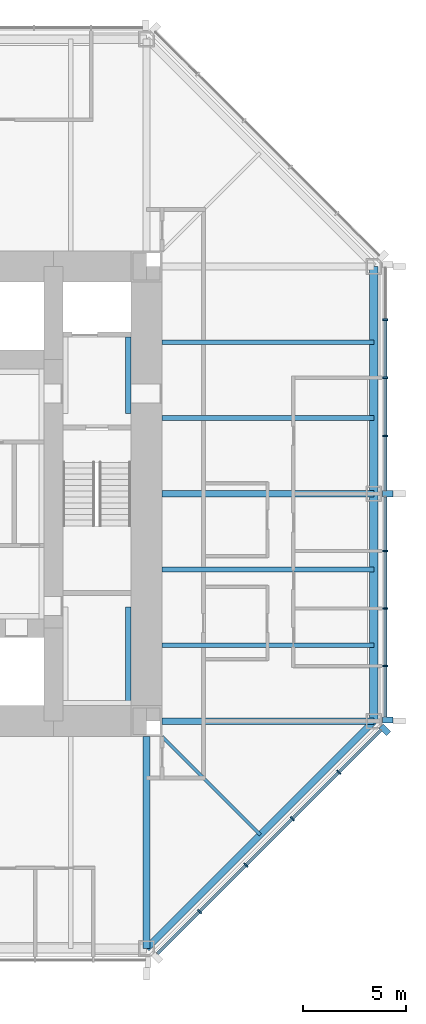
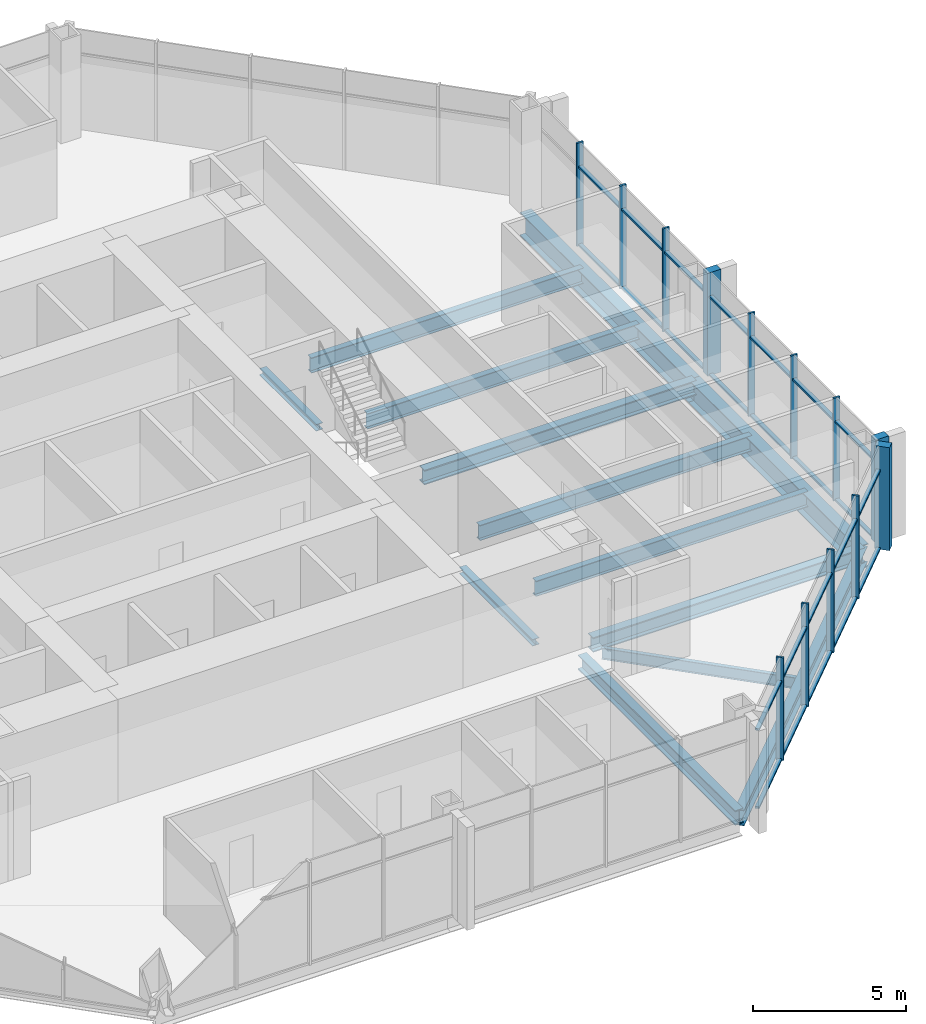
# One storey, part 4 of 12: 37 members, 13 beams, 2 elements without a shape of their own.
"""IFC4 building model written with IfcOpenShell, lengths in metres."""

from ifc_helpers import new_model, si_unit, direction, frame, origin, origin_2d, place, context, subcontext, project, spatial, rectangle, i_section, extrude, material, material_profile, profile_set, type_object, element, aggregate, save


model = new_model("IFC4")

# Units and contexts
model_context = context("Model", 3, precision=1e-05, world=origin(), true_north=direction((0.0, 1.0)))
body_context = subcontext(model_context, "Body", "Model", "MODEL_VIEW")
ifc_project = project(units=[si_unit("LENGTHUNIT", "METRE"), si_unit("AREAUNIT", "SQUARE_METRE"), si_unit("VOLUMEUNIT", "CUBIC_METRE"), si_unit("PLANEANGLEUNIT", "RADIAN"), si_unit("MASSUNIT", "GRAM", prefix="KILO")], contexts=[model_context])

# Site, building, storey
site_placement = place(None, origin())
site = spatial("IfcSite", under=ifc_project, at=site_placement, CompositionType="ELEMENT")
building_placement = place(site_placement, origin())
building = spatial("IfcBuilding", under=site, at=building_placement, Name="Trevanion Tower", CompositionType="ELEMENT")
storey_placement = place(building_placement, frame((0.0, 0.0, 137.699951171875)))
storey = spatial("IfcBuildingStorey", under=building, at=storey_placement, Name="L32", CompositionType="ELEMENT", Elevation=137.699951171875)

# Beams
ifc_material_1 = material(Name="Steel ASTM A992 Grade 50", Category="steel")
ifc_material_profile_1 = material_profile(ifc_material_1, i_section(OverallWidth=0.22900390625, OverallDepth=0.612060546875, WebThickness=0.011962890625, FlangeThickness=0.01953125, at=origin_2d()), Name="W24X84")
ifc_profile_set_1 = profile_set([ifc_material_profile_1], Name="Steel ASTM A992 Grade 50")
beam_type_1 = type_object("IfcBeamType", Name="B7 W24X84", PredefinedType="BEAM", material=ifc_profile_set_1)
for number, where, z_axis, x_axis, name in (
    (1, (11.75, -7.333251953125, -0.49609375), (1.0, 0.0, 0.0), (0.0, 1.0, 0.0), "B7 L32"),
    (2, (11.75, -3.666748046875, -0.49609375), (1.0, 0.0, 0.0), (0.0, 1.0, 0.0), "B7 L32"),
    (3, (11.75, 3.666748046875, -0.49609375), (1.0, 0.0, 0.0), (0.0, 1.0, 0.0), "B7 L32"),
    (4, (11.75, 7.333251953125, -0.49609375), (1.0, 0.0, 0.0), (0.0, 1.0, 0.0), "B7 L32"),
):
    element("IfcBeam", number, at=place(storey_placement, frame(where, z_axis=z_axis, x_axis=x_axis)), inside=storey, type_object=beam_type_1, Name=name, PredefinedType="BEAM", context=body_context, shape_type="SweptSolid", body=[
        extrude(i_section(OverallWidth=0.22900390625, OverallDepth=0.612060546875, WebThickness=0.011962890625, FlangeThickness=0.01953125, at=origin_2d()), origin(), (0.0, 0.0, 1.0), 10.25),
    ])
ifc_material_2 = material(Name="Steel ASTM A992 Grade 50", Category="steel")
ifc_material_profile_2 = material_profile(ifc_material_2, i_section(OverallWidth=0.15234375, OverallDepth=0.449462890625, WebThickness=0.007568359375, FlangeThickness=0.0107421875, at=origin_2d()), Name="W18X35")
ifc_profile_set_2 = profile_set([ifc_material_profile_2], Name="Steel ASTM A992 Grade 50")
beam_type_2 = type_object("IfcBeamType", Name="B8 W18X35", PredefinedType="BEAM", material=ifc_profile_set_2)
beam_1_placement = place(storey_placement, frame((11.75, -11.75, -0.414794921875), z_axis=(0.707106781187, -0.707106781187, 0.0), x_axis=(0.707106781187, 0.707106781187, 0.0)))
element("IfcBeam", 5, at=beam_1_placement, inside=storey, type_object=beam_type_2, Name="B8 L32", PredefinedType="BEAM", context=body_context, shape_type="SweptSolid", body=[
    extrude(i_section(OverallWidth=0.15234375, OverallDepth=0.449462890625, WebThickness=0.007568359375, FlangeThickness=0.0107421875, at=origin_2d()), origin(), (0.0, 0.0, 1.0), 6.717529296875),
])

# Curtain wall, members
ifc_material_3 = material(Name="Aluminium and glass", Category="aluminium")
curtain_wall_type = type_object("IfcCurtainWallType", Name="CW2 curtain wall", PredefinedType="USERDEFINED", material=ifc_material_3)
curtain_wall_1_placement = place(storey_placement, origin())
curtain_wall_1 = element("IfcCurtainWall", 6, at=curtain_wall_1_placement, inside=storey, type_object=curtain_wall_type, Name="CW2 L32 0", ObjectType="UNITISED CURTAIN WALL", PredefinedType="USERDEFINED")
ifc_material_4 = material(Name="Aluminium extrusion, anodised bronze", Category="aluminium")
ifc_material_profile_3 = material_profile(ifc_material_4, rectangle(XDim=0.074951171875, YDim=0.25, at=origin_2d()), Name="CW2 mullion")
ifc_profile_set_3 = profile_set([ifc_material_profile_3], Name="Aluminium extrusion, anodised bronze")
member_type_1 = type_object("IfcMemberType", Name="CW2 mullion", PredefinedType="MULLION", material=ifc_profile_set_3)
member_1_placement = place(storey_placement, frame((22.550048828125, -8.323486328125, -0.18994140625), z_axis=(0.0, 0.0, 1.0), x_axis=(0.0, 1.0, 0.0)))
member_1 = element("IfcMember", 7, at=member_1_placement, type_object=member_type_1, Name="CW2 mullion 2", PredefinedType="MULLION", context=body_context, shape_type="SweptSolid", body=[
    extrude(rectangle(XDim=0.074951171875, YDim=0.25, at=origin_2d()), origin(), (0.0, 0.0, 1.0), 4.10009765625),
])
member_2_placement = place(storey_placement, frame((22.550048828125, -5.548828125, -0.18994140625), z_axis=(0.0, 0.0, 1.0), x_axis=(0.0, 1.0, 0.0)))
member_2 = element("IfcMember", 8, at=member_2_placement, type_object=member_type_1, Name="CW2 mullion 3", PredefinedType="MULLION", context=body_context, shape_type="SweptSolid", body=[
    extrude(rectangle(XDim=0.074951171875, YDim=0.25, at=origin_2d()), origin(), (0.0, 0.0, 1.0), 4.10009765625),
])
member_3_placement = place(storey_placement, frame((22.550048828125, -2.7744140625, -0.18994140625), z_axis=(0.0, 0.0, 1.0), x_axis=(0.0, 1.0, 0.0)))
member_3 = element("IfcMember", 9, at=member_3_placement, type_object=member_type_1, Name="CW2 mullion 4", PredefinedType="MULLION", context=body_context, shape_type="SweptSolid", body=[
    extrude(rectangle(XDim=0.074951171875, YDim=0.25, at=origin_2d()), origin(), (0.0, 0.0, 1.0), 4.10009765625),
])
member_4_placement = place(storey_placement, frame((22.550048828125, 2.806884765625, -0.18994140625), z_axis=(0.0, 0.0, 1.0), x_axis=(0.0, 1.0, 0.0)))
member_4 = element("IfcMember", 10, at=member_4_placement, type_object=member_type_1, Name="CW2 mullion 6", PredefinedType="MULLION", context=body_context, shape_type="SweptSolid", body=[
    extrude(rectangle(XDim=0.074951171875, YDim=0.25, at=origin_2d()), origin(), (0.0, 0.0, 1.0), 4.10009765625),
])
member_5_placement = place(storey_placement, frame((22.550048828125, 5.614013671875, -0.18994140625), z_axis=(0.0, 0.0, 1.0), x_axis=(0.0, 1.0, 0.0)))
member_5 = element("IfcMember", 11, at=member_5_placement, type_object=member_type_1, Name="CW2 mullion 7", PredefinedType="MULLION", context=body_context, shape_type="SweptSolid", body=[
    extrude(rectangle(XDim=0.074951171875, YDim=0.25, at=origin_2d()), origin(), (0.0, 0.0, 1.0), 4.10009765625),
])
member_6_placement = place(storey_placement, frame((22.550048828125, 8.4208984375, -0.18994140625), z_axis=(0.0, 0.0, 1.0), x_axis=(0.0, 1.0, 0.0)))
member_6 = element("IfcMember", 12, at=member_6_placement, type_object=member_type_1, Name="CW2 mullion 8", PredefinedType="MULLION", context=body_context, shape_type="SweptSolid", body=[
    extrude(rectangle(XDim=0.074951171875, YDim=0.25, at=origin_2d()), origin(), (0.0, 0.0, 1.0), 4.10009765625),
])

curtain_wall_2_placement = place(storey_placement, origin())
curtain_wall_2 = element("IfcCurtainWall", 13, at=curtain_wall_2_placement, inside=storey, type_object=curtain_wall_type, Name="CW2 L32 7", ObjectType="UNITISED CURTAIN WALL", PredefinedType="USERDEFINED")
member_7_placement = place(storey_placement, frame((13.56591796875, -20.2119140625, -0.18994140625), z_axis=(0.0, 0.0, 1.0), x_axis=(0.707106781187, 0.707106781187, 0.0)))
member_7 = element("IfcMember", 14, at=member_7_placement, type_object=member_type_1, Name="CW2 mullion 2", PredefinedType="MULLION", context=body_context, shape_type="SweptSolid", body=[
    extrude(rectangle(XDim=0.074951171875, YDim=0.25, at=origin_2d()), origin(), (0.0, 0.0, 1.0), 4.10009765625),
])
member_8_placement = place(storey_placement, frame((15.811767578125, -17.966064453125, -0.18994140625), z_axis=(0.0, 0.0, 1.0), x_axis=(0.707106781187, 0.707106781187, 0.0)))
member_8 = element("IfcMember", 15, at=member_8_placement, type_object=member_type_1, Name="CW2 mullion 3", PredefinedType="MULLION", context=body_context, shape_type="SweptSolid", body=[
    extrude(rectangle(XDim=0.074951171875, YDim=0.25, at=origin_2d()), origin(), (0.0, 0.0, 1.0), 4.10009765625),
])
member_9_placement = place(storey_placement, frame((18.057861328125, -15.719970703125, -0.18994140625), z_axis=(0.0, 0.0, 1.0), x_axis=(0.707106781187, 0.707106781187, 0.0)))
member_9 = element("IfcMember", 16, at=member_9_placement, type_object=member_type_1, Name="CW2 mullion 4", PredefinedType="MULLION", context=body_context, shape_type="SweptSolid", body=[
    extrude(rectangle(XDim=0.074951171875, YDim=0.25, at=origin_2d()), origin(), (0.0, 0.0, 1.0), 4.10009765625),
])
member_10_placement = place(storey_placement, frame((20.303955078125, -13.473876953125, -0.18994140625), z_axis=(0.0, 0.0, 1.0), x_axis=(0.707106781187, 0.707106781187, 0.0)))
member_10 = element("IfcMember", 17, at=member_10_placement, type_object=member_type_1, Name="CW2 mullion 5", PredefinedType="MULLION", context=body_context, shape_type="SweptSolid", body=[
    extrude(rectangle(XDim=0.074951171875, YDim=0.25, at=origin_2d()), origin(), (0.0, 0.0, 1.0), 4.10009765625),
])

# Member
ifc_material_5 = material(Name="Aluminium extrusion, anodised bronze", Category="aluminium")
ifc_material_profile_4 = material_profile(ifc_material_5, rectangle(XDim=0.300048828125, YDim=0.5, at=origin_2d()), Name="CW2 pier mullion")
ifc_profile_set_4 = profile_set([ifc_material_profile_4], Name="Aluminium extrusion, anodised bronze")
member_type_2 = type_object("IfcMemberType", Name="CW2 pier mullion", PredefinedType="MULLION", material=ifc_profile_set_4)
member_11_placement = place(storey_placement, frame((22.675048828125, -10.94775390625, -0.18994140625), z_axis=(0.0, 0.0, 1.0), x_axis=(0.0, 1.0, 0.0)))
member_11 = element("IfcMember", 18, at=member_11_placement, type_object=member_type_2, Name="CW2 pier mullion 1", PredefinedType="MULLION", context=body_context, shape_type="SweptSolid", body=[
    extrude(rectangle(XDim=0.300048828125, YDim=0.5, at=origin_2d()), origin(), (0.0, 0.0, 1.0), 4.10009765625),
])

member_12_placement = place(storey_placement, frame((22.675048828125, 0.0, -0.18994140625), z_axis=(0.0, 0.0, 1.0), x_axis=(0.0, 1.0, 0.0)))
member_12 = element("IfcMember", 19, at=member_12_placement, type_object=member_type_2, Name="CW2 pier mullion 5", PredefinedType="MULLION", context=body_context, shape_type="SweptSolid", body=[
    extrude(rectangle(XDim=0.300048828125, YDim=0.5, at=origin_2d()), origin(), (0.0, 0.0, 1.0), 4.10009765625),
])

member_13_placement = place(storey_placement, frame((22.5322265625, -11.42236328125, -0.18994140625), z_axis=(0.0, 0.0, 1.0), x_axis=(0.707106781187, 0.707106781187, 0.0)))
member_13 = element("IfcMember", 20, at=member_13_placement, type_object=member_type_2, Name="CW2 pier mullion 6", PredefinedType="MULLION", context=body_context, shape_type="SweptSolid", body=[
    extrude(rectangle(XDim=0.300048828125, YDim=0.5, at=origin_2d()), origin(), (0.0, 0.0, 1.0), 4.10009765625),
])

ifc_material_6 = material(Name="Aluminium extrusion, anodised bronze", Category="aluminium")
ifc_material_profile_5 = material_profile(ifc_material_6, rectangle(XDim=0.14990234375, YDim=0.074951171875, at=origin_2d()), Name="CW2 transom")
ifc_profile_set_5 = profile_set([ifc_material_profile_5], Name="Aluminium extrusion, anodised bronze")
member_type_3 = type_object("IfcMemberType", Name="CW2 transom", PredefinedType="USERDEFINED", material=ifc_profile_set_5)
member_14_placement = place(storey_placement, frame((22.550048828125, -10.7978515625, -0.15234375), z_axis=(0.0, 1.0, 0.0), x_axis=(-1.0, 0.0, 0.0)))
member_14 = element("IfcMember", 21, at=member_14_placement, type_object=member_type_3, Name="CW2 transom 1.1", ObjectType="TRANSOM", PredefinedType="USERDEFINED", context=body_context, shape_type="SweptSolid", body=[
    extrude(rectangle(XDim=0.14990234375, YDim=0.074951171875, at=origin_2d()), origin(), (0.0, 0.0, 1.0), 2.43701171875),
])

member_15_placement = place(storey_placement, frame((22.550048828125, -10.7978515625, 2.9599609375), z_axis=(0.0, 1.0, 0.0), x_axis=(-1.0, 0.0, 0.0)))
member_15 = element("IfcMember", 22, at=member_15_placement, type_object=member_type_3, Name="CW2 transom 1.2", ObjectType="TRANSOM", PredefinedType="USERDEFINED", context=body_context, shape_type="SweptSolid", body=[
    extrude(rectangle(XDim=0.14990234375, YDim=0.074951171875, at=origin_2d()), origin(), (0.0, 0.0, 1.0), 2.43701171875),
])

member_16_placement = place(storey_placement, frame((22.550048828125, -8.285888671875, -0.15234375), z_axis=(0.0, 1.0, 0.0), x_axis=(-1.0, 0.0, 0.0)))
member_16 = element("IfcMember", 23, at=member_16_placement, type_object=member_type_3, Name="CW2 transom 2.1", ObjectType="TRANSOM", PredefinedType="USERDEFINED", context=body_context, shape_type="SweptSolid", body=[
    extrude(rectangle(XDim=0.14990234375, YDim=0.074951171875, at=origin_2d()), origin(), (0.0, 0.0, 1.0), 2.699462890625),
])

member_17_placement = place(storey_placement, frame((22.550048828125, -8.285888671875, 2.9599609375), z_axis=(0.0, 1.0, 0.0), x_axis=(-1.0, 0.0, 0.0)))
member_17 = element("IfcMember", 24, at=member_17_placement, type_object=member_type_3, Name="CW2 transom 2.2", ObjectType="TRANSOM", PredefinedType="USERDEFINED", context=body_context, shape_type="SweptSolid", body=[
    extrude(rectangle(XDim=0.14990234375, YDim=0.074951171875, at=origin_2d()), origin(), (0.0, 0.0, 1.0), 2.699462890625),
])

member_18_placement = place(storey_placement, frame((22.550048828125, -5.511474609375, -0.15234375), z_axis=(0.0, 1.0, 0.0), x_axis=(-1.0, 0.0, 0.0)))
member_18 = element("IfcMember", 25, at=member_18_placement, type_object=member_type_3, Name="CW2 transom 3.1", ObjectType="TRANSOM", PredefinedType="USERDEFINED", context=body_context, shape_type="SweptSolid", body=[
    extrude(rectangle(XDim=0.14990234375, YDim=0.074951171875, at=origin_2d()), origin(), (0.0, 0.0, 1.0), 2.699462890625),
])

member_19_placement = place(storey_placement, frame((22.550048828125, -5.511474609375, 2.9599609375), z_axis=(0.0, 1.0, 0.0), x_axis=(-1.0, 0.0, 0.0)))
member_19 = element("IfcMember", 26, at=member_19_placement, type_object=member_type_3, Name="CW2 transom 3.2", ObjectType="TRANSOM", PredefinedType="USERDEFINED", context=body_context, shape_type="SweptSolid", body=[
    extrude(rectangle(XDim=0.14990234375, YDim=0.074951171875, at=origin_2d()), origin(), (0.0, 0.0, 1.0), 2.699462890625),
])

member_20_placement = place(storey_placement, frame((22.550048828125, -2.737060546875, -0.15234375), z_axis=(0.0, 1.0, 0.0), x_axis=(-1.0, 0.0, 0.0)))
member_20 = element("IfcMember", 27, at=member_20_placement, type_object=member_type_3, Name="CW2 transom 4.1", ObjectType="TRANSOM", PredefinedType="USERDEFINED", context=body_context, shape_type="SweptSolid", body=[
    extrude(rectangle(XDim=0.14990234375, YDim=0.074951171875, at=origin_2d()), origin(), (0.0, 0.0, 1.0), 2.587158203125),
])

member_21_placement = place(storey_placement, frame((22.550048828125, -2.737060546875, 2.9599609375), z_axis=(0.0, 1.0, 0.0), x_axis=(-1.0, 0.0, 0.0)))
member_21 = element("IfcMember", 28, at=member_21_placement, type_object=member_type_3, Name="CW2 transom 4.2", ObjectType="TRANSOM", PredefinedType="USERDEFINED", context=body_context, shape_type="SweptSolid", body=[
    extrude(rectangle(XDim=0.14990234375, YDim=0.074951171875, at=origin_2d()), origin(), (0.0, 0.0, 1.0), 2.587158203125),
])

member_22_placement = place(storey_placement, frame((22.550048828125, 0.14990234375, -0.15234375), z_axis=(0.0, 1.0, 0.0), x_axis=(-1.0, 0.0, 0.0)))
member_22 = element("IfcMember", 29, at=member_22_placement, type_object=member_type_3, Name="CW2 transom 5.1", ObjectType="TRANSOM", PredefinedType="USERDEFINED", context=body_context, shape_type="SweptSolid", body=[
    extrude(rectangle(XDim=0.14990234375, YDim=0.074951171875, at=origin_2d()), origin(), (0.0, 0.0, 1.0), 2.619384765625),
])

member_23_placement = place(storey_placement, frame((22.550048828125, 0.14990234375, 2.9599609375), z_axis=(0.0, 1.0, 0.0), x_axis=(-1.0, 0.0, 0.0)))
member_23 = element("IfcMember", 30, at=member_23_placement, type_object=member_type_3, Name="CW2 transom 5.2", ObjectType="TRANSOM", PredefinedType="USERDEFINED", context=body_context, shape_type="SweptSolid", body=[
    extrude(rectangle(XDim=0.14990234375, YDim=0.074951171875, at=origin_2d()), origin(), (0.0, 0.0, 1.0), 2.619384765625),
])

member_24_placement = place(storey_placement, frame((22.550048828125, 2.844482421875, -0.15234375), z_axis=(0.0, 1.0, 0.0), x_axis=(-1.0, 0.0, 0.0)))
member_24 = element("IfcMember", 31, at=member_24_placement, type_object=member_type_3, Name="CW2 transom 6.1", ObjectType="TRANSOM", PredefinedType="USERDEFINED", context=body_context, shape_type="SweptSolid", body=[
    extrude(rectangle(XDim=0.14990234375, YDim=0.074951171875, at=origin_2d()), origin(), (0.0, 0.0, 1.0), 2.73193359375),
])

member_25_placement = place(storey_placement, frame((22.550048828125, 2.844482421875, 2.9599609375), z_axis=(0.0, 1.0, 0.0), x_axis=(-1.0, 0.0, 0.0)))
member_25 = element("IfcMember", 32, at=member_25_placement, type_object=member_type_3, Name="CW2 transom 6.2", ObjectType="TRANSOM", PredefinedType="USERDEFINED", context=body_context, shape_type="SweptSolid", body=[
    extrude(rectangle(XDim=0.14990234375, YDim=0.074951171875, at=origin_2d()), origin(), (0.0, 0.0, 1.0), 2.73193359375),
])

member_26_placement = place(storey_placement, frame((22.550048828125, 5.6513671875, -0.15234375), z_axis=(0.0, 1.0, 0.0), x_axis=(-1.0, 0.0, 0.0)))
member_26 = element("IfcMember", 33, at=member_26_placement, type_object=member_type_3, Name="CW2 transom 7.1", ObjectType="TRANSOM", PredefinedType="USERDEFINED", context=body_context, shape_type="SweptSolid", body=[
    extrude(rectangle(XDim=0.14990234375, YDim=0.074951171875, at=origin_2d()), origin(), (0.0, 0.0, 1.0), 2.73193359375),
])

member_27_placement = place(storey_placement, frame((22.550048828125, 5.6513671875, 2.9599609375), z_axis=(0.0, 1.0, 0.0), x_axis=(-1.0, 0.0, 0.0)))
member_27 = element("IfcMember", 34, at=member_27_placement, type_object=member_type_3, Name="CW2 transom 7.2", ObjectType="TRANSOM", PredefinedType="USERDEFINED", context=body_context, shape_type="SweptSolid", body=[
    extrude(rectangle(XDim=0.14990234375, YDim=0.074951171875, at=origin_2d()), origin(), (0.0, 0.0, 1.0), 2.73193359375),
])

aggregate(curtain_wall_1, [member_11, member_1, member_2, member_3, member_12, member_4, member_5, member_6, member_14, member_15, member_16, member_17, member_18, member_19, member_20, member_21, member_22, member_23, member_24, member_25, member_26, member_27])

member_28_placement = place(storey_placement, frame((11.531982421875, -22.245849609375, -0.15234375), z_axis=(0.707106781187, 0.707106781187, 0.0), x_axis=(-0.707106781187, 0.707106781187, 0.0)))
member_28 = element("IfcMember", 35, at=member_28_placement, type_object=member_type_3, Name="CW2 transom 1.1", ObjectType="TRANSOM", PredefinedType="USERDEFINED", context=body_context, shape_type="SweptSolid", body=[
    extrude(rectangle(XDim=0.14990234375, YDim=0.074951171875, at=origin_2d()), origin(), (0.0, 0.0, 1.0), 2.8388671875),
])

member_29_placement = place(storey_placement, frame((11.531982421875, -22.245849609375, 2.9599609375), z_axis=(0.707106781187, 0.707106781187, 0.0), x_axis=(-0.707106781187, 0.707106781187, 0.0)))
member_29 = element("IfcMember", 36, at=member_29_placement, type_object=member_type_3, Name="CW2 transom 1.2", ObjectType="TRANSOM", PredefinedType="USERDEFINED", context=body_context, shape_type="SweptSolid", body=[
    extrude(rectangle(XDim=0.14990234375, YDim=0.074951171875, at=origin_2d()), origin(), (0.0, 0.0, 1.0), 2.8388671875),
])

member_30_placement = place(storey_placement, frame((13.59228515625, -20.185546875, -0.15234375), z_axis=(0.707106781187, 0.707106781187, 0.0), x_axis=(-0.707106781187, 0.707106781187, 0.0)))
member_30 = element("IfcMember", 37, at=member_30_placement, type_object=member_type_3, Name="CW2 transom 2.1", ObjectType="TRANSOM", PredefinedType="USERDEFINED", context=body_context, shape_type="SweptSolid", body=[
    extrude(rectangle(XDim=0.14990234375, YDim=0.074951171875, at=origin_2d()), origin(), (0.0, 0.0, 1.0), 3.1015625),
])

member_31_placement = place(storey_placement, frame((13.59228515625, -20.185546875, 2.9599609375), z_axis=(0.707106781187, 0.707106781187, 0.0), x_axis=(-0.707106781187, 0.707106781187, 0.0)))
member_31 = element("IfcMember", 38, at=member_31_placement, type_object=member_type_3, Name="CW2 transom 2.2", ObjectType="TRANSOM", PredefinedType="USERDEFINED", context=body_context, shape_type="SweptSolid", body=[
    extrude(rectangle(XDim=0.14990234375, YDim=0.074951171875, at=origin_2d()), origin(), (0.0, 0.0, 1.0), 3.1015625),
])

member_32_placement = place(storey_placement, frame((15.83837890625, -17.939453125, -0.15234375), z_axis=(0.707106781187, 0.707106781187, 0.0), x_axis=(-0.707106781187, 0.707106781187, 0.0)))
member_32 = element("IfcMember", 39, at=member_32_placement, type_object=member_type_3, Name="CW2 transom 3.1", ObjectType="TRANSOM", PredefinedType="USERDEFINED", context=body_context, shape_type="SweptSolid", body=[
    extrude(rectangle(XDim=0.14990234375, YDim=0.074951171875, at=origin_2d()), origin(), (0.0, 0.0, 1.0), 3.1015625),
])

member_33_placement = place(storey_placement, frame((15.83837890625, -17.939453125, 2.9599609375), z_axis=(0.707106781187, 0.707106781187, 0.0), x_axis=(-0.707106781187, 0.707106781187, 0.0)))
member_33 = element("IfcMember", 40, at=member_33_placement, type_object=member_type_3, Name="CW2 transom 3.2", ObjectType="TRANSOM", PredefinedType="USERDEFINED", context=body_context, shape_type="SweptSolid", body=[
    extrude(rectangle(XDim=0.14990234375, YDim=0.074951171875, at=origin_2d()), origin(), (0.0, 0.0, 1.0), 3.1015625),
])

member_34_placement = place(storey_placement, frame((18.08447265625, -15.693359375, -0.15234375), z_axis=(0.707106781187, 0.707106781187, 0.0), x_axis=(-0.707106781187, 0.707106781187, 0.0)))
member_34 = element("IfcMember", 41, at=member_34_placement, type_object=member_type_3, Name="CW2 transom 4.1", ObjectType="TRANSOM", PredefinedType="USERDEFINED", context=body_context, shape_type="SweptSolid", body=[
    extrude(rectangle(XDim=0.14990234375, YDim=0.074951171875, at=origin_2d()), origin(), (0.0, 0.0, 1.0), 3.10107421875),
])

member_35_placement = place(storey_placement, frame((18.08447265625, -15.693359375, 2.9599609375), z_axis=(0.707106781187, 0.707106781187, 0.0), x_axis=(-0.707106781187, 0.707106781187, 0.0)))
member_35 = element("IfcMember", 42, at=member_35_placement, type_object=member_type_3, Name="CW2 transom 4.2", ObjectType="TRANSOM", PredefinedType="USERDEFINED", context=body_context, shape_type="SweptSolid", body=[
    extrude(rectangle(XDim=0.14990234375, YDim=0.074951171875, at=origin_2d()), origin(), (0.0, 0.0, 1.0), 3.10107421875),
])

member_36_placement = place(storey_placement, frame((20.33056640625, -13.447509765625, -0.15234375), z_axis=(0.707063781595, 0.707149778163, 0.0), x_axis=(-0.707149778163, 0.707063781595, 0.0)))
member_36 = element("IfcMember", 43, at=member_36_placement, type_object=member_type_3, Name="CW2 transom 5.1", ObjectType="TRANSOM", PredefinedType="USERDEFINED", context=body_context, shape_type="SweptSolid", body=[
    extrude(rectangle(XDim=0.14990234375, YDim=0.074951171875, at=origin_2d()), origin(), (0.0, 0.0, 1.0), 2.8388671875),
])

member_37_placement = place(storey_placement, frame((20.33056640625, -13.447509765625, 2.9599609375), z_axis=(0.707063781595, 0.707149778163, 0.0), x_axis=(-0.707149778163, 0.707063781595, 0.0)))
member_37 = element("IfcMember", 44, at=member_37_placement, type_object=member_type_3, Name="CW2 transom 5.2", ObjectType="TRANSOM", PredefinedType="USERDEFINED", context=body_context, shape_type="SweptSolid", body=[
    extrude(rectangle(XDim=0.14990234375, YDim=0.074951171875, at=origin_2d()), origin(), (0.0, 0.0, 1.0), 2.8388671875),
])

aggregate(curtain_wall_2, [member_7, member_8, member_9, member_10, member_13, member_28, member_29, member_30, member_31, member_32, member_33, member_34, member_35, member_36, member_37])

# Beams
ifc_material_7 = material(Name="Steel ASTM A992 Grade 50", Category="steel")
ifc_material_profile_6 = material_profile(ifc_material_7, i_section(OverallWidth=0.320068359375, OverallDepth=0.584228515625, WebThickness=0.023193359375, FlangeThickness=0.04150390625, at=origin_2d()), Name="W21X201")
ifc_profile_set_6 = profile_set([ifc_material_profile_6], Name="Steel ASTM A992 Grade 50")
beam_type_3 = type_object("IfcBeamType", Name="G4 W21X201", PredefinedType="BEAM", material=ifc_profile_set_6)
for number, where, z_axis, x_axis, name in (
    (45, (11.75, -11.0, -0.48193359375), (1.0, 0.0, 0.0), (0.0, 1.0, 0.0), "G4 L32"),
    (46, (11.75, 0.0, -0.48193359375), (1.0, 0.0, 0.0), (0.0, 1.0, 0.0), "G4 L32"),
    (47, (11.0, -11.75, -0.48193359375), (0.0, -1.0, 0.0), (1.0, 0.0, 0.0), "G4 L32"),
):
    element("IfcBeam", number, at=place(storey_placement, frame(where, z_axis=z_axis, x_axis=x_axis)), inside=storey, type_object=beam_type_3, Name=name, PredefinedType="BEAM", context=body_context, shape_type="SweptSolid", body=[
        extrude(i_section(OverallWidth=0.320068359375, OverallDepth=0.584228515625, WebThickness=0.023193359375, FlangeThickness=0.04150390625, at=origin_2d()), origin(), (0.0, 0.0, 1.0), 10.25),
    ])
ifc_material_8 = material(Name="Steel ASTM A992 Grade 50", Category="steel")
ifc_material_profile_7 = material_profile(ifc_material_8, i_section(OverallWidth=0.256591796875, OverallDepth=0.26416015625, WebThickness=0.011962890625, FlangeThickness=0.01953125, at=origin_2d()), Name="W10X68")
ifc_profile_set_7 = profile_set([ifc_material_profile_7], Name="Steel ASTM A992 Grade 50")
beam_type_4 = type_object("IfcBeamType", Name="LB1 W10X68", PredefinedType="BEAM", material=ifc_profile_set_7)
beam_2_placement = place(storey_placement, frame((10.12158203125, 3.875, -0.33203125), z_axis=(0.0, 1.0, 0.0), x_axis=(-1.0, 0.0, 0.0)))
element("IfcBeam", 48, at=beam_2_placement, inside=storey, type_object=beam_type_4, Name="LB1 L32", PredefinedType="BEAM", context=body_context, shape_type="SweptSolid", body=[
    extrude(i_section(OverallWidth=0.256591796875, OverallDepth=0.26416015625, WebThickness=0.011962890625, FlangeThickness=0.01953125, at=origin_2d()), origin(), (0.0, 0.0, 1.0), 3.699951171875),
])
beam_3_placement = place(storey_placement, frame((10.12158203125, -10.25, -0.33203125), z_axis=(0.0, 1.0, 0.0), x_axis=(-1.0, 0.0, 0.0)))
element("IfcBeam", 49, at=beam_3_placement, inside=storey, type_object=beam_type_4, Name="LB1 L32", PredefinedType="BEAM", context=body_context, shape_type="SweptSolid", body=[
    extrude(i_section(OverallWidth=0.256591796875, OverallDepth=0.26416015625, WebThickness=0.011962890625, FlangeThickness=0.01953125, at=origin_2d()), origin(), (0.0, 0.0, 1.0), 4.77490234375),
])
ifc_material_9 = material(Name="Steel ASTM A992 Grade 50", Category="steel")
ifc_material_profile_8 = material_profile(ifc_material_9, i_section(OverallWidth=0.419189453125, OverallDepth=0.927001953125, WebThickness=0.019287109375, FlangeThickness=0.031982421875, at=origin_2d()), Name="W36X231")
ifc_profile_set_8 = profile_set([ifc_material_profile_8], Name="Steel ASTM A992 Grade 50")
beam_type_5 = type_object("IfcBeamType", Name="SB4 W36X231", PredefinedType="SPANDREL", material=ifc_profile_set_8)
for number, where, z_axis, x_axis, name in (
    (50, (22.0, -11.0, -0.653564453125), (0.0, 1.0, 0.0), (-1.0, 0.0, 0.0), "SB4 L32"),
    (51, (22.0, 0.0, -0.653564453125), (0.0, 1.0, 0.0), (-1.0, 0.0, 0.0), "SB4 L32"),
):
    element("IfcBeam", number, at=place(storey_placement, frame(where, z_axis=z_axis, x_axis=x_axis)), inside=storey, type_object=beam_type_5, Name=name, PredefinedType="SPANDREL", context=body_context, shape_type="SweptSolid", body=[
        extrude(i_section(OverallWidth=0.419189453125, OverallDepth=0.927001953125, WebThickness=0.019287109375, FlangeThickness=0.031982421875, at=origin_2d()), origin(), (0.0, 0.0, 1.0), 11.0),
    ])
ifc_material_10 = material(Name="Steel ASTM A992 Grade 50", Category="steel")
ifc_material_profile_9 = material_profile(ifc_material_10, i_section(OverallWidth=0.32763671875, OverallDepth=0.62744140625, WebThickness=0.0166015625, FlangeThickness=0.027587890625, at=origin_2d()), Name="W24X146")
ifc_profile_set_9 = profile_set([ifc_material_profile_9], Name="Steel ASTM A992 Grade 50")
beam_type_6 = type_object("IfcBeamType", Name="SB5 W24X146", PredefinedType="SPANDREL", material=ifc_profile_set_9)
beam_4_placement = place(storey_placement, frame((11.0, -22.0, -0.503662109375), z_axis=(0.707106781187, 0.707106781187, 0.0), x_axis=(-0.707106781187, 0.707106781187, 0.0)))
element("IfcBeam", 52, at=beam_4_placement, inside=storey, type_object=beam_type_6, Name="SB5 L32", PredefinedType="SPANDREL", context=body_context, shape_type="SweptSolid", body=[
    extrude(i_section(OverallWidth=0.32763671875, OverallDepth=0.62744140625, WebThickness=0.0166015625, FlangeThickness=0.027587890625, at=origin_2d()), origin(), (0.0, 0.0, 1.0), 15.556396484375),
])

save(model, "model.ifc")
